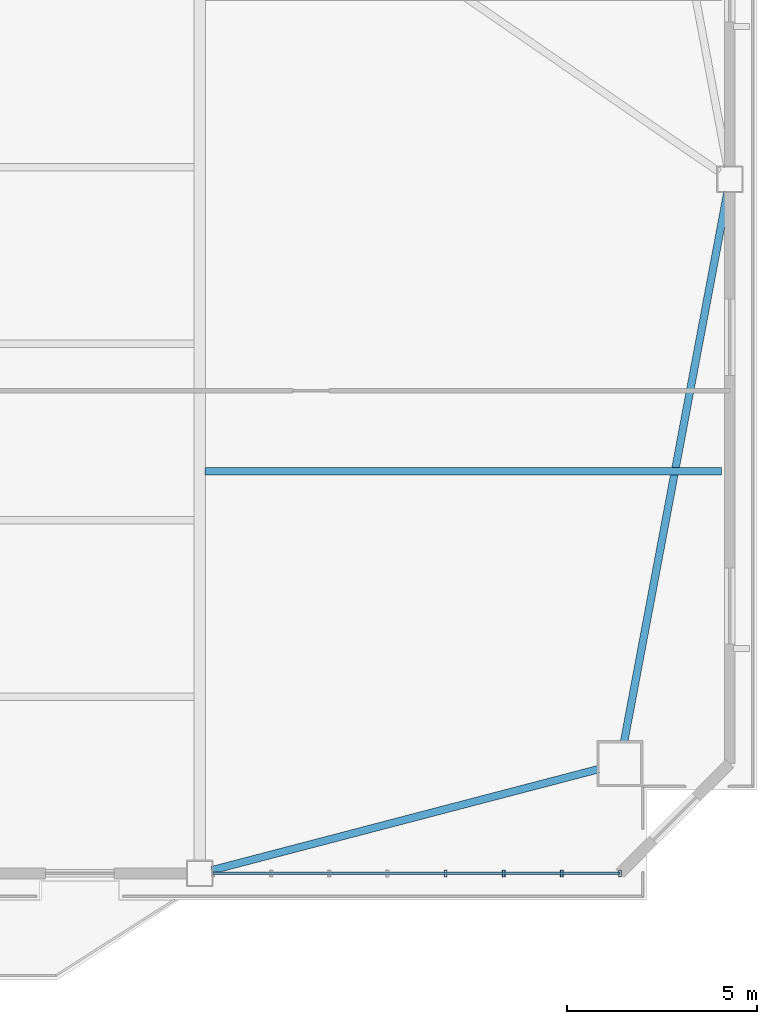
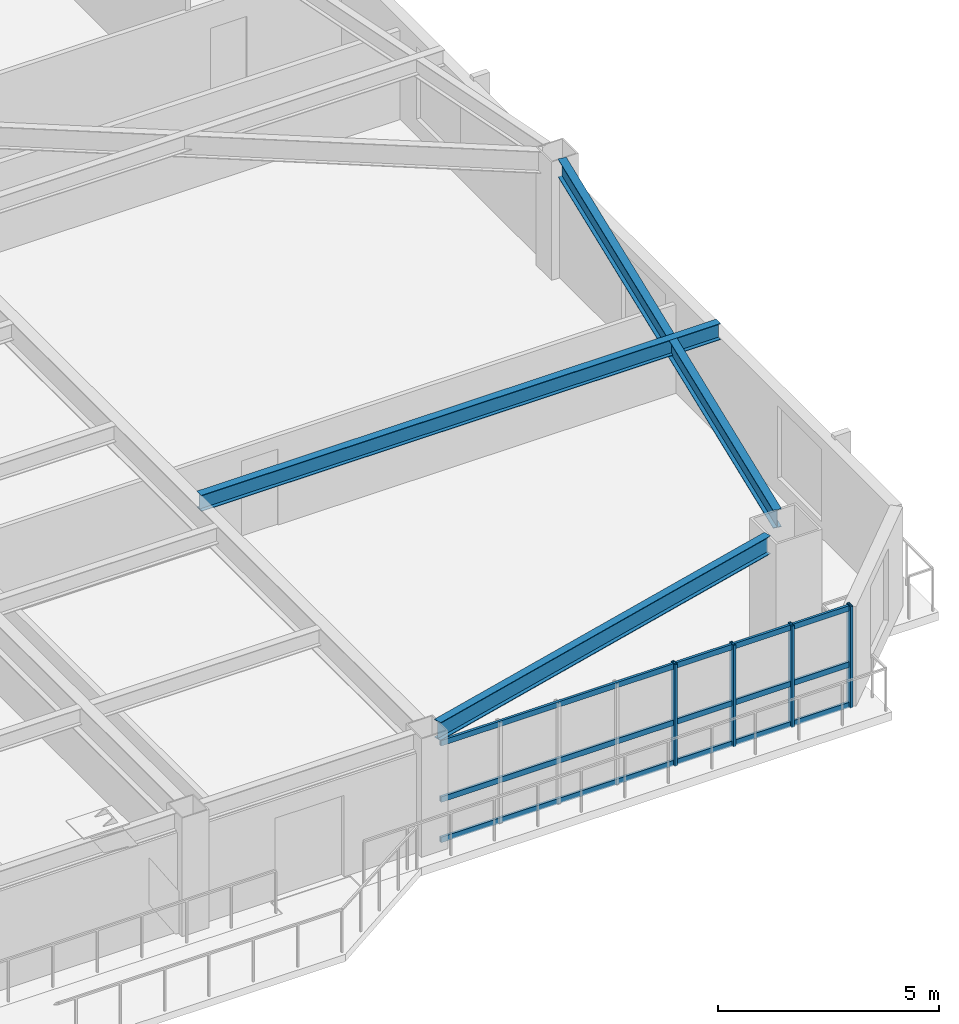
# One storey, part 5 of 15: 7 members, 3 beams, 1 element without a shape of its own.
"""IFC4 building model written with IfcOpenShell, lengths in metres."""

from ifc_helpers import new_model, si_unit, direction, frame, origin, origin_2d, place, context, subcontext, project, spatial, hollow_rectangle, i_section, extrude, source, transform, mapped, material, layer, layer_set, material_profile, profile_set, type_object, element, aggregate, save


model = new_model("IFC4")

# Units and contexts
model_context = context("Model", 3, precision=1e-05, world=origin(), true_north=direction((0.0, 1.0)))
body_context = subcontext(model_context, "Body", "Model", "MODEL_VIEW")
ifc_project = project(units=[si_unit("LENGTHUNIT", "METRE"), si_unit("AREAUNIT", "SQUARE_METRE"), si_unit("VOLUMEUNIT", "CUBIC_METRE"), si_unit("PLANEANGLEUNIT", "RADIAN"), si_unit("MASSUNIT", "GRAM", prefix="KILO")], contexts=[model_context])

# Site, building, storey
site_placement = place(None, origin())
site = spatial("IfcSite", under=ifc_project, at=site_placement, CompositionType="ELEMENT")
building_placement = place(site_placement, origin())
building = spatial("IfcBuilding", under=site, at=building_placement, Name="Giltprow Tower", CompositionType="ELEMENT")
storey_placement = place(building_placement, frame((0.0, 0.0, 170.199951171875)))
storey = spatial("IfcBuildingStorey", under=building, at=storey_placement, Name="L42", CompositionType="ELEMENT", Elevation=170.199951171875)

# Beams
ifc_material_1 = material(Name="Structural steel Q355B", Category="steel")
ifc_material_profile_1 = material_profile(ifc_material_1, i_section(OverallWidth=0.199951171875, OverallDepth=0.449951171875, WebThickness=0.009033203125, FlangeThickness=0.013916015625, at=origin_2d()), Name="HN 450x200x9x14")
ifc_profile_set_1 = profile_set([ifc_material_profile_1], Name="Structural steel Q355B")
beam_type_1 = type_object("IfcBeamType", Name="BM-JOIST-HN450", PredefinedType="JOIST", material=ifc_profile_set_1)
shared_shape_1 = source(origin(), body_context, "Body", "SweptSolid", [
    extrude(i_section(OverallWidth=0.199951171875, OverallDepth=0.449951171875, WebThickness=0.009033203125, FlangeThickness=0.013916015625, at=origin_2d()), origin(), (0.0, 0.0, 1.0), 13.56591796875),
])
beam_1_placement = place(storey_placement, frame((50.695068359375, 20.18798828125, 3.045166015625), z_axis=(1.0, 0.0, 0.0), x_axis=(0.0, 1.0, 0.0)))
element("IfcBeam", 1, at=beam_1_placement, inside=storey, type_object=beam_type_1, Name="L42 East Wing Floor Joist 1", PredefinedType="JOIST", context=body_context, shape_type="MappedRepresentation", body=[
    mapped(shared_shape_1, transform((0.0, 0.0, 0.0), x_axis=(1.0, 0.0, 0.0), y_axis=(0.0, 1.0, 0.0), z_axis=(0.0, 0.0, 1.0), scale=1.0)),
])
ifc_material_profile_2 = material_profile(ifc_material_1, i_section(OverallWidth=0.199951171875, OverallDepth=0.5, WebThickness=0.010009765625, FlangeThickness=0.01611328125, at=origin_2d()), Name="HN 500x200x10x16")
ifc_profile_set_2 = profile_set([ifc_material_profile_2], Name="Structural steel Q355B")
beam_type_2 = type_object("IfcBeamType", Name="BM-SPAN-HN500", PredefinedType="SPANDREL", material=ifc_profile_set_2)
shared_shape_2 = source(origin(), body_context, "Body", "SweptSolid", [
    extrude(i_section(OverallWidth=0.199951171875, OverallDepth=0.5, WebThickness=0.010009765625, FlangeThickness=0.01611328125, at=origin_2d()), origin(), (0.0, 0.0, 1.0), 10.4951171875),
])
beam_2_placement = place(storey_placement, frame((50.8740234375, 9.7109375, 3.02001953125), z_axis=(0.967496857975, 0.252883035826, 0.0), x_axis=(-0.252883035826, 0.967496857975, 0.0)))
element("IfcBeam", 2, at=beam_2_placement, inside=storey, type_object=beam_type_2, Name="L42 Perimeter Spandrel Beam S4-MC_SE", PredefinedType="SPANDREL", context=body_context, shape_type="MappedRepresentation", body=[
    mapped(shared_shape_2, transform((0.0, 0.0, 0.0), x_axis=(1.0, 0.0, 0.0), y_axis=(0.0, 1.0, 0.0), z_axis=(0.0, 0.0, 1.0), scale=1.0)),
])
shared_shape_3 = source(origin(), body_context, "Body", "SweptSolid", [
    extrude(i_section(OverallWidth=0.199951171875, OverallDepth=0.5, WebThickness=0.010009765625, FlangeThickness=0.01611328125, at=origin_2d()), origin(), (0.0, 0.0, 1.0), 14.69921875),
])
beam_3_placement = place(storey_placement, frame((61.701904296875, 13.087890625, 3.02001953125), z_axis=(0.184841051364, 0.982768429352, 0.0), x_axis=(-0.982768429352, 0.184841051364, 0.0)))
element("IfcBeam", 3, at=beam_3_placement, inside=storey, type_object=beam_type_2, Name="L42 Perimeter Spandrel Beam MC_SE-E_MID", PredefinedType="SPANDREL", context=body_context, shape_type="MappedRepresentation", body=[
    mapped(shared_shape_3, transform((0.0, 0.0, 0.0), x_axis=(1.0, 0.0, 0.0), y_axis=(0.0, 1.0, 0.0), z_axis=(0.0, 0.0, 1.0), scale=1.0)),
])

# Curtain wall, members
ifc_material_2 = material(Name="Anodized bronze", Category="metal")
ifc_layer = layer(ifc_material_2, 0.179931640625, Name="Anodized bronze")
ifc_layer_set = layer_set([ifc_layer], Name="Anodized bronze")
curtain_wall_type = type_object("IfcCurtainWallType", Name="CW-HTL-BRONZE", PredefinedType="NOTDEFINED", material=ifc_layer_set)
curtain_wall_placement = place(storey_placement, origin())
curtain_wall = element("IfcCurtainWall", 4, at=curtain_wall_placement, inside=storey, type_object=curtain_wall_type, Name="L42 South Recessed Curtain Wall 6", PredefinedType="NOTDEFINED")
ifc_material_profile_3 = material_profile(ifc_material_2, hollow_rectangle(XDim=0.074951171875, YDim=0.179931640625, WallThickness=0.008056640625, at=origin_2d()), Name="RHS 180x75x8")
ifc_profile_set_3 = profile_set([ifc_material_profile_3], Name="Anodized bronze")
member_type_1 = type_object("IfcMemberType", Name="CW-MULLION-180x75", PredefinedType="MULLION", material=ifc_profile_set_3)
shared_shape_4 = source(origin(), body_context, "Body", "SweptSolid", [
    extrude(hollow_rectangle(XDim=0.074951171875, YDim=0.179931640625, WallThickness=0.008056640625, at=origin_2d()), origin(), (0.0, 0.0, 1.0), 2.80517578125),
])
member_1_placement = place(storey_placement, frame((57.010986328125, 9.6259765625, -0.02001953125), z_axis=(0.0, 0.0, 1.0), x_axis=(1.0, 0.0, 0.0)))
member_1 = element("IfcMember", 5, at=member_1_placement, type_object=member_type_1, Name="L42 South Recessed Curtain Wall 6 Mullion 5", PredefinedType="MULLION", context=body_context, shape_type="MappedRepresentation", body=[
    mapped(shared_shape_4, transform((0.0, 0.0, 0.0), x_axis=(1.0, 0.0, 0.0), y_axis=(0.0, 1.0, 0.0), z_axis=(0.0, 0.0, 1.0), scale=1.0)),
])
member_2_placement = place(storey_placement, frame((58.5390625, 9.6259765625, -0.02001953125), z_axis=(0.0, 0.0, 1.0), x_axis=(1.0, 0.0, 0.0)))
member_2 = element("IfcMember", 6, at=member_2_placement, type_object=member_type_1, Name="L42 South Recessed Curtain Wall 6 Mullion 6", PredefinedType="MULLION", context=body_context, shape_type="MappedRepresentation", body=[
    mapped(shared_shape_4, transform((0.0, 0.0, 0.0), x_axis=(1.0, 0.0, 0.0), y_axis=(0.0, 1.0, 0.0), z_axis=(0.0, 0.0, 1.0), scale=1.0)),
])
member_3_placement = place(storey_placement, frame((60.06591796875, 9.6259765625, -0.02001953125), z_axis=(0.0, 0.0, 1.0), x_axis=(1.0, 0.0, 0.0)))
member_3 = element("IfcMember", 7, at=member_3_placement, type_object=member_type_1, Name="L42 South Recessed Curtain Wall 6 Mullion 7", PredefinedType="MULLION", context=body_context, shape_type="MappedRepresentation", body=[
    mapped(shared_shape_4, transform((0.0, 0.0, 0.0), x_axis=(1.0, 0.0, 0.0), y_axis=(0.0, 1.0, 0.0), z_axis=(0.0, 0.0, 1.0), scale=1.0)),
])
member_4_placement = place(storey_placement, frame((61.593994140625, 9.6259765625, -0.02001953125), z_axis=(0.0, 0.0, 1.0), x_axis=(1.0, 0.0, 0.0)))
member_4 = element("IfcMember", 8, at=member_4_placement, type_object=member_type_1, Name="L42 South Recessed Curtain Wall 6 Mullion 8", PredefinedType="MULLION", context=body_context, shape_type="MappedRepresentation", body=[
    mapped(shared_shape_4, transform((0.0, 0.0, 0.0), x_axis=(1.0, 0.0, 0.0), y_axis=(0.0, 1.0, 0.0), z_axis=(0.0, 0.0, 1.0), scale=1.0)),
])
ifc_material_profile_4 = material_profile(ifc_material_2, hollow_rectangle(XDim=0.06494140625, YDim=0.14990234375, WallThickness=0.006103515625, at=origin_2d()), Name="RHS 150x65x6")
ifc_profile_set_4 = profile_set([ifc_material_profile_4], Name="Anodized bronze")
member_type_2 = type_object("IfcMemberType", Name="CW-TRANSOM-150x65", PredefinedType="USERDEFINED", material=ifc_profile_set_4)
shared_shape_5 = source(origin(), body_context, "Body", "SweptSolid", [
    extrude(hollow_rectangle(XDim=0.06494140625, YDim=0.14990234375, WallThickness=0.006103515625, at=origin_2d()), origin(), (0.0, 0.0, 1.0), 10.694091796875),
])
member_5_placement = place(storey_placement, frame((50.89990234375, 9.6259765625, 0.0400390625), z_axis=(1.0, 0.0, 0.0), x_axis=(0.0, 1.0, 0.0)))
member_5 = element("IfcMember", 9, at=member_5_placement, type_object=member_type_2, Name="L42 South Recessed Curtain Wall 6 Transom 1", ObjectType="TRANSOM", PredefinedType="USERDEFINED", context=body_context, shape_type="MappedRepresentation", body=[
    mapped(shared_shape_5, transform((0.0, 0.0, 0.0), x_axis=(1.0, 0.0, 0.0), y_axis=(0.0, 1.0, 0.0), z_axis=(0.0, 0.0, 1.0), scale=1.0)),
])
member_6_placement = place(storey_placement, frame((50.89990234375, 9.6259765625, 1.155029296875), z_axis=(1.0, 0.0, 0.0), x_axis=(0.0, 1.0, 0.0)))
member_6 = element("IfcMember", 10, at=member_6_placement, type_object=member_type_2, Name="L42 South Recessed Curtain Wall 6 Transom 2", ObjectType="TRANSOM", PredefinedType="USERDEFINED", context=body_context, shape_type="MappedRepresentation", body=[
    mapped(shared_shape_5, transform((0.0, 0.0, 0.0), x_axis=(1.0, 0.0, 0.0), y_axis=(0.0, 1.0, 0.0), z_axis=(0.0, 0.0, 1.0), scale=1.0)),
])
member_7_placement = place(storey_placement, frame((50.89990234375, 9.6259765625, 2.7099609375), z_axis=(1.0, 0.0, 0.0), x_axis=(0.0, 1.0, 0.0)))
member_7 = element("IfcMember", 11, at=member_7_placement, type_object=member_type_2, Name="L42 South Recessed Curtain Wall 6 Transom 3", ObjectType="TRANSOM", PredefinedType="USERDEFINED", context=body_context, shape_type="MappedRepresentation", body=[
    mapped(shared_shape_5, transform((0.0, 0.0, 0.0), x_axis=(1.0, 0.0, 0.0), y_axis=(0.0, 1.0, 0.0), z_axis=(0.0, 0.0, 1.0), scale=1.0)),
])
aggregate(curtain_wall, [member_1, member_2, member_3, member_4, member_5, member_6, member_7])

save(model, "model.ifc")
